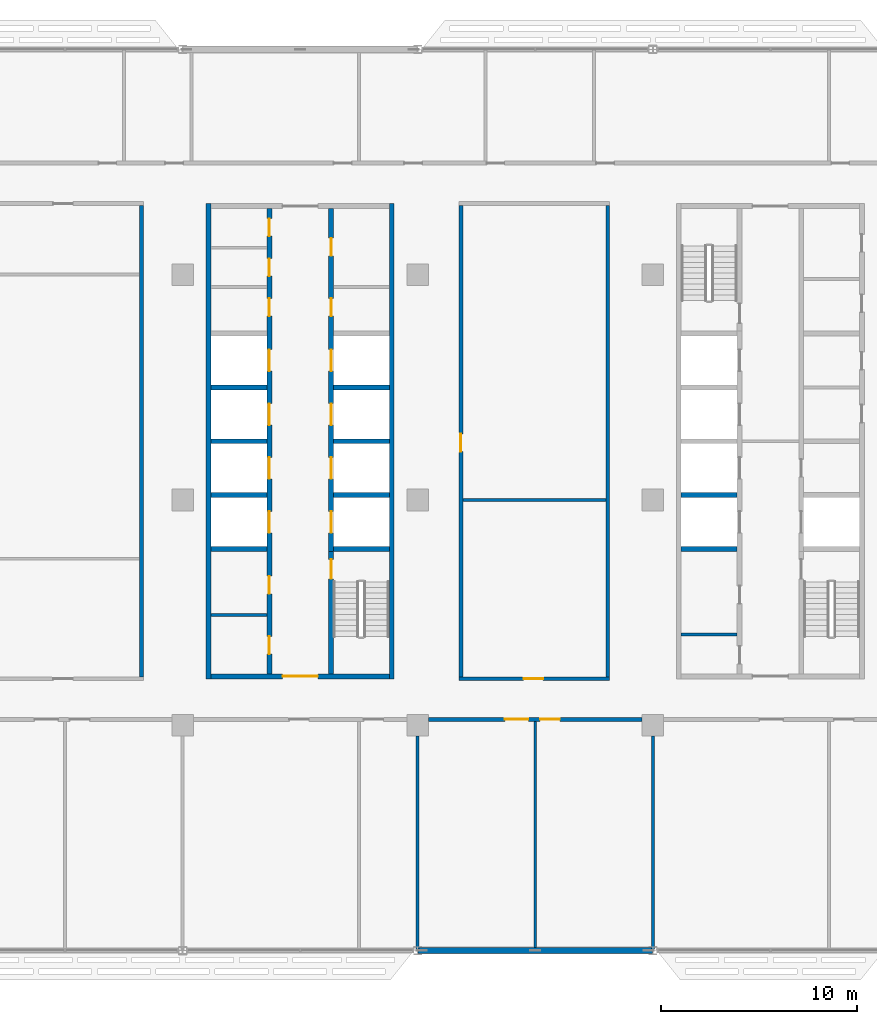
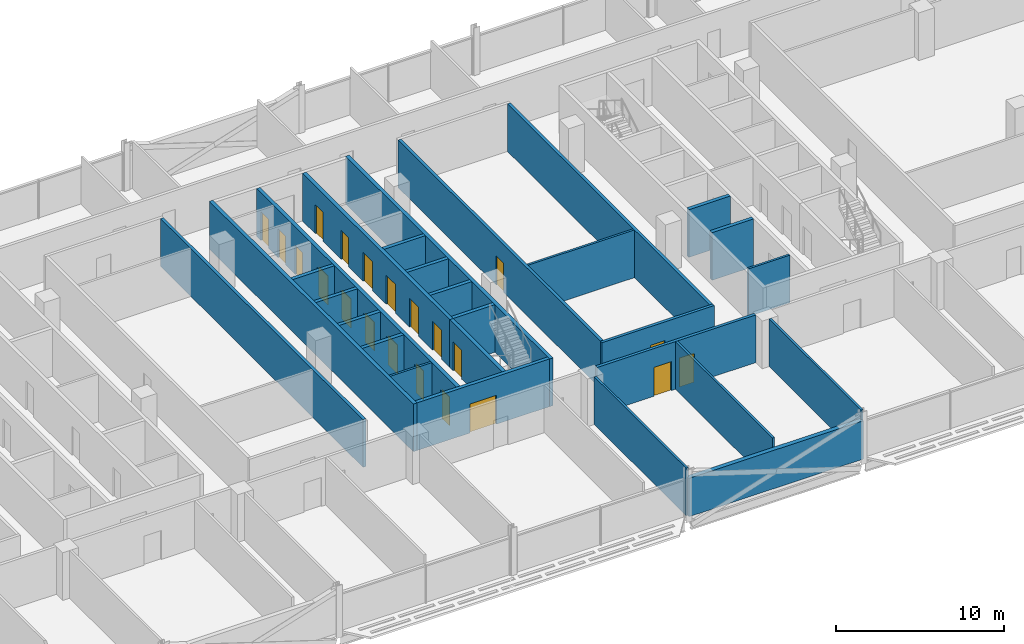
# One storey, part 14 of 30: 28 walls, 21 doors, 21 openings.
"""IFC4 building model written with IfcOpenShell, lengths in metres."""

from ifc_helpers import new_model, si_unit, direction, frame, frame_2d, origin, place, context, subcontext, project, spatial, rectangle, extrude, material, layer, layer_set, type_object, element, fill, save


model = new_model("IFC4")

# Units and contexts
model_context = context("Model", 3, precision=1e-05, world=origin(), true_north=direction((0.0, 1.0)))
body_context = subcontext(model_context, "Body", "Model", "MODEL_VIEW")
ifc_project = project(units=[si_unit("LENGTHUNIT", "METRE"), si_unit("AREAUNIT", "SQUARE_METRE"), si_unit("VOLUMEUNIT", "CUBIC_METRE"), si_unit("PLANEANGLEUNIT", "RADIAN"), si_unit("MASSUNIT", "GRAM", prefix="KILO")], contexts=[model_context])

# Site, building, storey
site_placement = place(None, origin())
site = spatial("IfcSite", under=ifc_project, at=site_placement, CompositionType="ELEMENT")
building_placement = place(site_placement, origin())
building = spatial("IfcBuilding", under=site, at=building_placement, Name="Mahtab Terrace Research Tower", CompositionType="ELEMENT")
storey_placement = place(building_placement, frame((0.0, 0.0, 205.300048828125)))
storey = spatial("IfcBuildingStorey", under=building, at=storey_placement, Name="L49", CompositionType="ELEMENT", Elevation=205.300048828125)

# Walls
ifc_material_1 = material(Name="Gypsum board partition")
ifc_layer_1 = layer(ifc_material_1, 0.14990234375)
ifc_layer_set_1 = layer_set([ifc_layer_1], Name="Core partition 150")
wall_type_1 = type_object("IfcWallType", Name="Core partition 150", PredefinedType="PARTITIONING", material=ifc_layer_set_1)
for number, where, z_axis, x_axis, name in (
    (1, (-4.550048828125, -5.875, 0.0), (0.0, 0.0, 1.0), (1.0, 0.0, 0.0), "Core wall B pWS-888"),
    (2, (19.449951171875, -6.875, 0.0), (0.0, 0.0, 1.0), (1.0, 0.0, 0.0), "Core wall C pWS-988"),
):
    element("IfcWall", number, at=place(storey_placement, frame(where, z_axis=z_axis, x_axis=x_axis)), inside=storey, type_object=wall_type_1, Name=name, PredefinedType="PARTITIONING", context=body_context, shape_type="SweptSolid", body=[
        extrude(rectangle(XDim=2.85009765625, YDim=0.14990234375, at=frame_2d((1.425048828125, 0.0))), origin(), (0.0, 0.0, 1.0), 3.4599609375),
    ])
ifc_material_2 = material(Name="Concrete C70/85", Category="concrete")
ifc_layer_2 = layer(ifc_material_2, 0.25)
ifc_layer_set_2 = layer_set([ifc_layer_2], Name="Core wall 250")
wall_type_2 = type_object("IfcWallType", Name="Core wall 250", PredefinedType="SOLIDWALL", material=ifc_layer_set_2)
for number, where, z_axis, x_axis, name in (
    (3, (-4.675048828125, 15.125, 0.0), (0.0, 0.0, 1.0), (0.0, -1.0, 0.0), "Core wall B outerW"),
    (4, (4.675048828125, -9.125, 0.0), (0.0, 0.0, 1.0), (0.0, 1.0, 0.0), "Core wall B outerE"),
):
    element("IfcWall", number, at=place(storey_placement, frame(where, z_axis=z_axis, x_axis=x_axis)), inside=storey, type_object=wall_type_2, Name=name, PredefinedType="SOLIDWALL", context=body_context, shape_type="SweptSolid", body=[
        extrude(rectangle(XDim=24.25, YDim=0.25, at=frame_2d((12.125, 0.0))), origin(), (0.0, 0.0, 1.0), 3.4599609375),
    ])

# Wall, opening, door
wall_1_placement = place(storey_placement, frame((4.550048828125, -9.0, 0.0), z_axis=(0.0, 0.0, 1.0), x_axis=(-1.0, 0.0, 0.0)))
wall_1 = element("IfcWall", 5, at=wall_1_placement, inside=storey, type_object=wall_type_2, Name="Core wall B endS", PredefinedType="SOLIDWALL", context=body_context, shape_type="SweptSolid", body=[
    extrude(rectangle(XDim=9.10009765625, YDim=0.25, at=frame_2d((4.550048828125, 0.0))), origin(), (0.0, 0.0, 1.0), 3.4599609375),
])
opening_1_placement = place(wall_1_placement, frame((3.64990234375, 0.0, 0.0)))
opening_1 = element("IfcOpeningElement", 6, at=opening_1_placement, cuts=wall_1, Name="Opening B-S1", PredefinedType="OPENING", context=body_context, shape_type="SweptSolid", body=[
    extrude(rectangle(XDim=1.800048828125, YDim=2.10009765625, at=frame_2d((0.89990234375, 1.050048828125))), frame((0.0, 0.135009765625, 0.0), z_axis=(0.0, -1.0, 0.0), x_axis=(1.0, 0.0, 0.0)), (0.0, 0.0, 1.0), 0.27001953125),
])
ifc_material_3 = material(Name="Steel fire door", Category="steel")
door_type_1 = type_object("IfcDoorType", Name="Lobby double door 1800x2100 1 HR", OperationType="DOUBLE_DOOR_SINGLE_SWING", PredefinedType="DOOR", material=ifc_material_3)
door_1_placement = place(opening_1_placement, origin())
door_1 = element("IfcDoor", 7, at=door_1_placement, inside=storey, type_object=door_type_1, Name="Core entrance door B S", OperationType="DOUBLE_DOOR_SINGLE_SWING", OverallHeight=2.10009765625, OverallWidth=1.800048828125, PredefinedType="DOOR", context=body_context, shape_type="SweptSolid", body=[
    extrude(rectangle(XDim=1.800048828125, YDim=2.10009765625, at=frame_2d((0.89990234375, 1.050048828125))), frame((0.0, 0.02490234375, 0.0), z_axis=(0.0, -1.0, 0.0), x_axis=(1.0, 0.0, 0.0)), (0.0, 0.0, 1.0), 0.050048828125),
])
fill(opening_1, door_1)

# Wall, openings, doors
wall_2_placement = place(storey_placement, frame((-1.574951171875, -8.875, 0.0), z_axis=(0.0, 0.0, 1.0), x_axis=(0.0, 1.0, 0.0)))
wall_2 = element("IfcWall", 8, at=wall_2_placement, inside=storey, type_object=wall_type_2, Name="Core wall B innerWSLN", PredefinedType="SOLIDWALL", context=body_context, shape_type="SweptSolid", body=[
    extrude(rectangle(XDim=23.75, YDim=0.25, at=frame_2d((11.875, 0.0))), origin(), (0.0, 0.0, 1.0), 3.4599609375),
])
opening_2_placement = place(wall_2_placement, frame((7.199951171875, 0.0, 0.0)))
opening_2 = element("IfcOpeningElement", 9, at=opening_2_placement, cuts=wall_2, Name="Opening LD09-L49", PredefinedType="OPENING", context=body_context, shape_type="SweptSolid", body=[
    extrude(rectangle(XDim=1.10009765625, YDim=2.10009765625, at=frame_2d((0.550048828125, 1.050048828125))), frame((0.0, 0.135009765625, 0.0), z_axis=(0.0, -1.0, 0.0), x_axis=(1.0, 0.0, 0.0)), (0.0, 0.0, 1.0), 0.27001953125),
])
opening_3_placement = place(wall_2_placement, frame((9.949951171875, 0.0, 0.0)))
opening_3 = element("IfcOpeningElement", 10, at=opening_3_placement, cuts=wall_2, Name="Opening LD10-L49", PredefinedType="OPENING", context=body_context, shape_type="SweptSolid", body=[
    extrude(rectangle(XDim=1.10009765625, YDim=2.10009765625, at=frame_2d((0.550048828125, 1.050048828125))), frame((0.0, 0.135009765625, 0.0), z_axis=(0.0, -1.0, 0.0), x_axis=(1.0, 0.0, 0.0)), (0.0, 0.0, 1.0), 0.27001953125),
])
opening_4_placement = place(wall_2_placement, frame((12.699951171875, 0.0, 0.0)))
opening_4 = element("IfcOpeningElement", 11, at=opening_4_placement, cuts=wall_2, Name="Opening LD11-L49", PredefinedType="OPENING", context=body_context, shape_type="SweptSolid", body=[
    extrude(rectangle(XDim=1.10009765625, YDim=2.10009765625, at=frame_2d((0.550048828125, 1.050048828125))), frame((0.0, 0.135009765625, 0.0), z_axis=(0.0, -1.0, 0.0), x_axis=(1.0, 0.0, 0.0)), (0.0, 0.0, 1.0), 0.27001953125),
])
opening_5_placement = place(wall_2_placement, frame((15.449951171875, 0.0, 0.0)))
opening_5 = element("IfcOpeningElement", 12, at=opening_5_placement, cuts=wall_2, Name="Opening LD12-L49", PredefinedType="OPENING", context=body_context, shape_type="SweptSolid", body=[
    extrude(rectangle(XDim=1.10009765625, YDim=2.10009765625, at=frame_2d((0.550048828125, 1.050048828125))), frame((0.0, 0.135009765625, 0.0), z_axis=(0.0, -1.0, 0.0), x_axis=(1.0, 0.0, 0.0)), (0.0, 0.0, 1.0), 0.27001953125),
])
opening_6_placement = place(wall_2_placement, frame((1.012451171875, 0.0, 0.0)))
opening_6 = element("IfcOpeningElement", 13, at=opening_6_placement, cuts=wall_2, Name="Opening B-R1", PredefinedType="OPENING", context=body_context, shape_type="SweptSolid", body=[
    extrude(rectangle(XDim=0.89990234375, YDim=2.10009765625, at=frame_2d((0.449951171875, 1.050048828125))), frame((0.0, 0.135009765625, 0.0), z_axis=(0.0, -1.0, 0.0), x_axis=(1.0, 0.0, 0.0)), (0.0, 0.0, 1.0), 0.27001953125),
])
opening_7_placement = place(wall_2_placement, frame((4.08740234375, 0.0, 0.0)))
opening_7 = element("IfcOpeningElement", 14, at=opening_7_placement, cuts=wall_2, Name="Opening B-R2", PredefinedType="OPENING", context=body_context, shape_type="SweptSolid", body=[
    extrude(rectangle(XDim=0.89990234375, YDim=2.10009765625, at=frame_2d((0.449951171875, 1.050048828125))), frame((0.0, 0.135009765625, 0.0), z_axis=(0.0, -1.0, 0.0), x_axis=(1.0, 0.0, 0.0)), (0.0, 0.0, 1.0), 0.27001953125),
])
opening_8_placement = place(wall_2_placement, frame((18.262451171875, 0.0, 0.0)))
opening_8 = element("IfcOpeningElement", 15, at=opening_8_placement, cuts=wall_2, Name="Opening B-R3", PredefinedType="OPENING", context=body_context, shape_type="SweptSolid", body=[
    extrude(rectangle(XDim=0.89990234375, YDim=2.10009765625, at=frame_2d((0.449951171875, 1.050048828125))), frame((0.0, 0.135009765625, 0.0), z_axis=(0.0, -1.0, 0.0), x_axis=(1.0, 0.0, 0.0)), (0.0, 0.0, 1.0), 0.27001953125),
])
opening_9_placement = place(wall_2_placement, frame((20.300048828125, 0.0, 0.0)))
opening_9 = element("IfcOpeningElement", 16, at=opening_9_placement, cuts=wall_2, Name="Opening B-R4", PredefinedType="OPENING", context=body_context, shape_type="SweptSolid", body=[
    extrude(rectangle(XDim=0.89990234375, YDim=2.10009765625, at=frame_2d((0.449951171875, 1.050048828125))), frame((0.0, 0.135009765625, 0.0), z_axis=(0.0, -1.0, 0.0), x_axis=(1.0, 0.0, 0.0)), (0.0, 0.0, 1.0), 0.27001953125),
])
opening_10_placement = place(wall_2_placement, frame((22.33740234375, 0.0, 0.0)))
opening_10 = element("IfcOpeningElement", 17, at=opening_10_placement, cuts=wall_2, Name="Opening B-R5", PredefinedType="OPENING", context=body_context, shape_type="SweptSolid", body=[
    extrude(rectangle(XDim=0.89990234375, YDim=2.10009765625, at=frame_2d((0.449951171875, 1.050048828125))), frame((0.0, 0.135009765625, 0.0), z_axis=(0.0, -1.0, 0.0), x_axis=(1.0, 0.0, 0.0)), (0.0, 0.0, 1.0), 0.27001953125),
])
ifc_material_4 = material(Name="Stainless steel AISI 304", Category="steel")
door_type_2 = type_object("IfcDoorType", Name="Landing door 1100x2100", OperationType="DOUBLE_DOOR_SLIDING", PredefinedType="DOOR", material=ifc_material_4)
door_2_placement = place(opening_2_placement, origin())
door_2 = element("IfcDoor", 18, at=door_2_placement, inside=storey, type_object=door_type_2, Name="Landing door HR1 L49", OperationType="DOUBLE_DOOR_SLIDING", OverallHeight=2.10009765625, OverallWidth=1.10009765625, PredefinedType="DOOR", context=body_context, shape_type="SweptSolid", body=[
    extrude(rectangle(XDim=1.10009765625, YDim=2.10009765625, at=frame_2d((0.550048828125, 1.050048828125))), frame((0.0, 0.02490234375, 0.0), z_axis=(0.0, -1.0, 0.0), x_axis=(1.0, 0.0, 0.0)), (0.0, 0.0, 1.0), 0.050048828125),
])
fill(opening_2, door_2)
door_3_placement = place(opening_3_placement, origin())
door_3 = element("IfcDoor", 19, at=door_3_placement, inside=storey, type_object=door_type_2, Name="Landing door HR2 L49", OperationType="DOUBLE_DOOR_SLIDING", OverallHeight=2.10009765625, OverallWidth=1.10009765625, PredefinedType="DOOR", context=body_context, shape_type="SweptSolid", body=[
    extrude(rectangle(XDim=1.10009765625, YDim=2.10009765625, at=frame_2d((0.550048828125, 1.050048828125))), frame((0.0, 0.02490234375, 0.0), z_axis=(0.0, -1.0, 0.0), x_axis=(1.0, 0.0, 0.0)), (0.0, 0.0, 1.0), 0.050048828125),
])
fill(opening_3, door_3)
door_4_placement = place(opening_4_placement, origin())
door_4 = element("IfcDoor", 20, at=door_4_placement, inside=storey, type_object=door_type_2, Name="Landing door HR3 L49", OperationType="DOUBLE_DOOR_SLIDING", OverallHeight=2.10009765625, OverallWidth=1.10009765625, PredefinedType="DOOR", context=body_context, shape_type="SweptSolid", body=[
    extrude(rectangle(XDim=1.10009765625, YDim=2.10009765625, at=frame_2d((0.550048828125, 1.050048828125))), frame((0.0, 0.02490234375, 0.0), z_axis=(0.0, -1.0, 0.0), x_axis=(1.0, 0.0, 0.0)), (0.0, 0.0, 1.0), 0.050048828125),
])
fill(opening_4, door_4)
door_5_placement = place(opening_5_placement, origin())
door_5 = element("IfcDoor", 21, at=door_5_placement, inside=storey, type_object=door_type_2, Name="Landing door HR4 L49", OperationType="DOUBLE_DOOR_SLIDING", OverallHeight=2.10009765625, OverallWidth=1.10009765625, PredefinedType="DOOR", context=body_context, shape_type="SweptSolid", body=[
    extrude(rectangle(XDim=1.10009765625, YDim=2.10009765625, at=frame_2d((0.550048828125, 1.050048828125))), frame((0.0, 0.02490234375, 0.0), z_axis=(0.0, -1.0, 0.0), x_axis=(1.0, 0.0, 0.0)), (0.0, 0.0, 1.0), 0.050048828125),
])
fill(opening_5, door_5)
door_type_3 = type_object("IfcDoorType", Name="Room door 900x2100 1 HR", OperationType="NOTDEFINED", PredefinedType="DOOR", material=ifc_material_3)
door_6_placement = place(opening_6_placement, origin())
door_6 = element("IfcDoor", 22, at=door_6_placement, inside=storey, type_object=door_type_3, Name="Housekeeping store door", OperationType="SINGLE_SWING_LEFT", OverallHeight=2.10009765625, OverallWidth=0.89990234375, PredefinedType="DOOR", context=body_context, shape_type="SweptSolid", body=[
    extrude(rectangle(XDim=0.89990234375, YDim=2.10009765625, at=frame_2d((0.449951171875, 1.050048828125))), frame((0.0, 0.02490234375, 0.0), z_axis=(0.0, -1.0, 0.0), x_axis=(1.0, 0.0, 0.0)), (0.0, 0.0, 1.0), 0.050048828125),
])
fill(opening_6, door_6)
door_7_placement = place(opening_7_placement, origin())
door_7 = element("IfcDoor", 23, at=door_7_placement, inside=storey, type_object=door_type_3, Name="Electrical riser room door", OperationType="SINGLE_SWING_RIGHT", OverallHeight=2.10009765625, OverallWidth=0.89990234375, PredefinedType="DOOR", context=body_context, shape_type="SweptSolid", body=[
    extrude(rectangle(XDim=0.89990234375, YDim=2.10009765625, at=frame_2d((0.449951171875, 1.050048828125))), frame((0.0, 0.02490234375, 0.0), z_axis=(0.0, -1.0, 0.0), x_axis=(1.0, 0.0, 0.0)), (0.0, 0.0, 1.0), 0.050048828125),
])
fill(opening_7, door_7)
door_8_placement = place(opening_8_placement, origin())
door_8 = element("IfcDoor", 24, at=door_8_placement, inside=storey, type_object=door_type_3, Name="Comms riser room door", OperationType="SINGLE_SWING_LEFT", OverallHeight=2.10009765625, OverallWidth=0.89990234375, PredefinedType="DOOR", context=body_context, shape_type="SweptSolid", body=[
    extrude(rectangle(XDim=0.89990234375, YDim=2.10009765625, at=frame_2d((0.449951171875, 1.050048828125))), frame((0.0, 0.02490234375, 0.0), z_axis=(0.0, -1.0, 0.0), x_axis=(1.0, 0.0, 0.0)), (0.0, 0.0, 1.0), 0.050048828125),
])
fill(opening_8, door_8)
door_9_placement = place(opening_9_placement, origin())
door_9 = element("IfcDoor", 25, at=door_9_placement, inside=storey, type_object=door_type_3, Name="Pantry door", OperationType="SINGLE_SWING_RIGHT", OverallHeight=2.10009765625, OverallWidth=0.89990234375, PredefinedType="DOOR", context=body_context, shape_type="SweptSolid", body=[
    extrude(rectangle(XDim=0.89990234375, YDim=2.10009765625, at=frame_2d((0.449951171875, 1.050048828125))), frame((0.0, 0.02490234375, 0.0), z_axis=(0.0, -1.0, 0.0), x_axis=(1.0, 0.0, 0.0)), (0.0, 0.0, 1.0), 0.050048828125),
])
fill(opening_9, door_9)
door_10_placement = place(opening_10_placement, origin())
door_10 = element("IfcDoor", 26, at=door_10_placement, inside=storey, type_object=door_type_3, Name="Cleaners store door", OperationType="SINGLE_SWING_LEFT", OverallHeight=2.10009765625, OverallWidth=0.89990234375, PredefinedType="DOOR", context=body_context, shape_type="SweptSolid", body=[
    extrude(rectangle(XDim=0.89990234375, YDim=2.10009765625, at=frame_2d((0.449951171875, 1.050048828125))), frame((0.0, 0.02490234375, 0.0), z_axis=(0.0, -1.0, 0.0), x_axis=(1.0, 0.0, 0.0)), (0.0, 0.0, 1.0), 0.050048828125),
])
fill(opening_10, door_10)

# Wall, opening, door
wall_3_placement = place(storey_placement, frame((1.574951171875, -8.875, 0.0), z_axis=(0.0, 0.0, 1.0), x_axis=(0.0, 1.0, 0.0)))
wall_3 = element("IfcWall", 27, at=wall_3_placement, inside=storey, type_object=wall_type_2, Name="Core wall B innerES", PredefinedType="SOLIDWALL", context=body_context, shape_type="SweptSolid", body=[
    extrude(rectangle(XDim=6.25, YDim=0.25, at=frame_2d((3.125, 0.0))), origin(), (0.0, 0.0, 1.0), 3.4599609375),
])
opening_11_placement = place(wall_3_placement, frame((4.85009765625, 0.0, 0.0)))
opening_11 = element("IfcOpeningElement", 28, at=opening_11_placement, cuts=wall_3, Name="Opening B-ST2", PredefinedType="OPENING", context=body_context, shape_type="SweptSolid", body=[
    extrude(rectangle(XDim=1.0, YDim=2.10009765625, at=frame_2d((0.5, 1.050048828125))), frame((0.0, 0.135009765625, 0.0), z_axis=(0.0, -1.0, 0.0), x_axis=(1.0, 0.0, 0.0)), (0.0, 0.0, 1.0), 0.27001953125),
])
door_type_4 = type_object("IfcDoorType", Name="Stair door 1000x2100 1.5 HR", OperationType="NOTDEFINED", PredefinedType="DOOR", material=ifc_material_3)
door_11_placement = place(opening_11_placement, origin())
door_11 = element("IfcDoor", 29, at=door_11_placement, inside=storey, type_object=door_type_4, Name="Stair door ST2 L49", OperationType="SINGLE_SWING_RIGHT", OverallHeight=2.10009765625, OverallWidth=1.0, PredefinedType="DOOR", context=body_context, shape_type="SweptSolid", body=[
    extrude(rectangle(XDim=1.0, YDim=2.10009765625, at=frame_2d((0.5, 1.050048828125))), frame((0.0, 0.02490234375, 0.0), z_axis=(0.0, -1.0, 0.0), x_axis=(1.0, 0.0, 0.0)), (0.0, 0.0, 1.0), 0.050048828125),
])
fill(opening_11, door_11)

# Wall, openings, doors
wall_4_placement = place(storey_placement, frame((1.574951171875, 14.875, 0.0), z_axis=(0.0, 0.0, 1.0), x_axis=(0.0, -1.0, 0.0)))
wall_4 = element("IfcWall", 30, at=wall_4_placement, inside=storey, type_object=wall_type_2, Name="Core wall B innerELN", PredefinedType="SOLIDWALL", context=body_context, shape_type="SweptSolid", body=[
    extrude(rectangle(XDim=17.5, YDim=0.25, at=frame_2d((8.75, 0.0))), origin(), (0.0, 0.0, 1.0), 3.4599609375),
])
opening_12_placement = place(wall_4_placement, frame((15.449951171875, 0.0, 0.0)))
opening_12 = element("IfcOpeningElement", 31, at=opening_12_placement, cuts=wall_4, Name="Opening LD13-L49", PredefinedType="OPENING", context=body_context, shape_type="SweptSolid", body=[
    extrude(rectangle(XDim=1.10009765625, YDim=2.10009765625, at=frame_2d((0.550048828125, 1.050048828125))), frame((0.0, 0.135009765625, 0.0), z_axis=(0.0, -1.0, 0.0), x_axis=(1.0, 0.0, 0.0)), (0.0, 0.0, 1.0), 0.27001953125),
])
opening_13_placement = place(wall_4_placement, frame((12.699951171875, 0.0, 0.0)))
opening_13 = element("IfcOpeningElement", 32, at=opening_13_placement, cuts=wall_4, Name="Opening LD14-L49", PredefinedType="OPENING", context=body_context, shape_type="SweptSolid", body=[
    extrude(rectangle(XDim=1.10009765625, YDim=2.10009765625, at=frame_2d((0.550048828125, 1.050048828125))), frame((0.0, 0.135009765625, 0.0), z_axis=(0.0, -1.0, 0.0), x_axis=(1.0, 0.0, 0.0)), (0.0, 0.0, 1.0), 0.27001953125),
])
opening_14_placement = place(wall_4_placement, frame((9.949951171875, 0.0, 0.0)))
opening_14 = element("IfcOpeningElement", 33, at=opening_14_placement, cuts=wall_4, Name="Opening LD15-L49", PredefinedType="OPENING", context=body_context, shape_type="SweptSolid", body=[
    extrude(rectangle(XDim=1.10009765625, YDim=2.10009765625, at=frame_2d((0.550048828125, 1.050048828125))), frame((0.0, 0.135009765625, 0.0), z_axis=(0.0, -1.0, 0.0), x_axis=(1.0, 0.0, 0.0)), (0.0, 0.0, 1.0), 0.27001953125),
])
opening_15_placement = place(wall_4_placement, frame((7.199951171875, 0.0, 0.0)))
opening_15 = element("IfcOpeningElement", 34, at=opening_15_placement, cuts=wall_4, Name="Opening LD16-L49", PredefinedType="OPENING", context=body_context, shape_type="SweptSolid", body=[
    extrude(rectangle(XDim=1.10009765625, YDim=2.10009765625, at=frame_2d((0.550048828125, 1.050048828125))), frame((0.0, 0.135009765625, 0.0), z_axis=(0.0, -1.0, 0.0), x_axis=(1.0, 0.0, 0.0)), (0.0, 0.0, 1.0), 0.27001953125),
])
opening_16_placement = place(wall_4_placement, frame((4.58740234375, 0.0, 0.0)))
opening_16 = element("IfcOpeningElement", 35, at=opening_16_placement, cuts=wall_4, Name="Opening B-R6", PredefinedType="OPENING", context=body_context, shape_type="SweptSolid", body=[
    extrude(rectangle(XDim=0.89990234375, YDim=2.10009765625, at=frame_2d((0.449951171875, 1.050048828125))), frame((0.0, 0.135009765625, 0.0), z_axis=(0.0, -1.0, 0.0), x_axis=(1.0, 0.0, 0.0)), (0.0, 0.0, 1.0), 0.27001953125),
])
opening_17_placement = place(wall_4_placement, frame((1.512451171875, 0.0, 0.0)))
opening_17 = element("IfcOpeningElement", 36, at=opening_17_placement, cuts=wall_4, Name="Opening B-R7", PredefinedType="OPENING", context=body_context, shape_type="SweptSolid", body=[
    extrude(rectangle(XDim=0.89990234375, YDim=2.10009765625, at=frame_2d((0.449951171875, 1.050048828125))), frame((0.0, 0.135009765625, 0.0), z_axis=(0.0, -1.0, 0.0), x_axis=(1.0, 0.0, 0.0)), (0.0, 0.0, 1.0), 0.27001953125),
])
door_12_placement = place(opening_12_placement, origin())
door_12 = element("IfcDoor", 37, at=door_12_placement, inside=storey, type_object=door_type_2, Name="Landing door HR5 L49", OperationType="DOUBLE_DOOR_SLIDING", OverallHeight=2.10009765625, OverallWidth=1.10009765625, PredefinedType="DOOR", context=body_context, shape_type="SweptSolid", body=[
    extrude(rectangle(XDim=1.10009765625, YDim=2.10009765625, at=frame_2d((0.550048828125, 1.050048828125))), frame((0.0, 0.02490234375, 0.0), z_axis=(0.0, -1.0, 0.0), x_axis=(1.0, 0.0, 0.0)), (0.0, 0.0, 1.0), 0.050048828125),
])
fill(opening_12, door_12)
door_13_placement = place(opening_13_placement, origin())
door_13 = element("IfcDoor", 38, at=door_13_placement, inside=storey, type_object=door_type_2, Name="Landing door HR6 L49", OperationType="DOUBLE_DOOR_SLIDING", OverallHeight=2.10009765625, OverallWidth=1.10009765625, PredefinedType="DOOR", context=body_context, shape_type="SweptSolid", body=[
    extrude(rectangle(XDim=1.10009765625, YDim=2.10009765625, at=frame_2d((0.550048828125, 1.050048828125))), frame((0.0, 0.02490234375, 0.0), z_axis=(0.0, -1.0, 0.0), x_axis=(1.0, 0.0, 0.0)), (0.0, 0.0, 1.0), 0.050048828125),
])
fill(opening_13, door_13)
door_14_placement = place(opening_14_placement, origin())
door_14 = element("IfcDoor", 39, at=door_14_placement, inside=storey, type_object=door_type_2, Name="Landing door HR7 L49", OperationType="DOUBLE_DOOR_SLIDING", OverallHeight=2.10009765625, OverallWidth=1.10009765625, PredefinedType="DOOR", context=body_context, shape_type="SweptSolid", body=[
    extrude(rectangle(XDim=1.10009765625, YDim=2.10009765625, at=frame_2d((0.550048828125, 1.050048828125))), frame((0.0, 0.02490234375, 0.0), z_axis=(0.0, -1.0, 0.0), x_axis=(1.0, 0.0, 0.0)), (0.0, 0.0, 1.0), 0.050048828125),
])
fill(opening_14, door_14)
door_15_placement = place(opening_15_placement, origin())
door_15 = element("IfcDoor", 40, at=door_15_placement, inside=storey, type_object=door_type_2, Name="Landing door HR8 L49", OperationType="DOUBLE_DOOR_SLIDING", OverallHeight=2.10009765625, OverallWidth=1.10009765625, PredefinedType="DOOR", context=body_context, shape_type="SweptSolid", body=[
    extrude(rectangle(XDim=1.10009765625, YDim=2.10009765625, at=frame_2d((0.550048828125, 1.050048828125))), frame((0.0, 0.02490234375, 0.0), z_axis=(0.0, -1.0, 0.0), x_axis=(1.0, 0.0, 0.0)), (0.0, 0.0, 1.0), 0.050048828125),
])
fill(opening_15, door_15)
door_16_placement = place(opening_16_placement, origin())
door_16 = element("IfcDoor", 41, at=door_16_placement, inside=storey, type_object=door_type_3, Name="Accessible WC door", OperationType="SINGLE_SWING_RIGHT", OverallHeight=2.10009765625, OverallWidth=0.89990234375, PredefinedType="DOOR", context=body_context, shape_type="SweptSolid", body=[
    extrude(rectangle(XDim=0.89990234375, YDim=2.10009765625, at=frame_2d((0.449951171875, 1.050048828125))), frame((0.0, 0.02490234375, 0.0), z_axis=(0.0, -1.0, 0.0), x_axis=(1.0, 0.0, 0.0)), (0.0, 0.0, 1.0), 0.050048828125),
])
fill(opening_16, door_16)
door_17_placement = place(opening_17_placement, origin())
door_17 = element("IfcDoor", 42, at=door_17_placement, inside=storey, type_object=door_type_3, Name="WC block door", OperationType="SINGLE_SWING_LEFT", OverallHeight=2.10009765625, OverallWidth=0.89990234375, PredefinedType="DOOR", context=body_context, shape_type="SweptSolid", body=[
    extrude(rectangle(XDim=0.89990234375, YDim=2.10009765625, at=frame_2d((0.449951171875, 1.050048828125))), frame((0.0, 0.02490234375, 0.0), z_axis=(0.0, -1.0, 0.0), x_axis=(1.0, 0.0, 0.0)), (0.0, 0.0, 1.0), 0.050048828125),
])
fill(opening_17, door_17)

# Walls
for number, where, z_axis, x_axis, name in (
    (43, (-4.550048828125, -2.5, 0.0), (0.0, 0.0, 1.0), (1.0, 0.0, 0.0), "Core wall B divW0"),
    (44, (-4.550048828125, 0.25, 0.0), (0.0, 0.0, 1.0), (1.0, 0.0, 0.0), "Core wall B divW1"),
    (45, (-4.550048828125, 3.0, 0.0), (0.0, 0.0, 1.0), (1.0, 0.0, 0.0), "Core wall B divW2"),
    (46, (-4.550048828125, 5.75, 0.0), (0.0, 0.0, 1.0), (1.0, 0.0, 0.0), "Core wall B divW3"),
    (47, (1.699951171875, -2.5, 0.0), (0.0, 0.0, 1.0), (1.0, 0.0, 0.0), "Core wall B divE0"),
    (48, (1.699951171875, 0.25, 0.0), (0.0, 0.0, 1.0), (1.0, 0.0, 0.0), "Core wall B divE1"),
    (49, (1.699951171875, 3.0, 0.0), (0.0, 0.0, 1.0), (1.0, 0.0, 0.0), "Core wall B divE2"),
    (50, (1.699951171875, 5.75, 0.0), (0.0, 0.0, 1.0), (1.0, 0.0, 0.0), "Core wall B divE3"),
    (51, (19.449951171875, -2.5, 0.0), (0.0, 0.0, 1.0), (1.0, 0.0, 0.0), "Core wall C divW0"),
    (52, (19.449951171875, 0.25, 0.0), (0.0, 0.0, 1.0), (1.0, 0.0, 0.0), "Core wall C divW1"),
):
    element("IfcWall", number, at=place(storey_placement, frame(where, z_axis=z_axis, x_axis=x_axis)), inside=storey, type_object=wall_type_2, Name=name, PredefinedType="SOLIDWALL", context=body_context, shape_type="SweptSolid", body=[
        extrude(rectangle(XDim=2.85009765625, YDim=0.25, at=frame_2d((1.425048828125, 0.0))), origin(), (0.0, 0.0, 1.0), 3.4599609375),
    ])
ifc_material_5 = material(Name="Black aluminium cladding panel", Category="aluminium")
ifc_layer_3 = layer(ifc_material_5, 0.300048828125)
ifc_layer_set_3 = layer_set([ifc_layer_3], Name="Opaque facade wall 300")
wall_type_3 = type_object("IfcWallType", Name="Opaque facade wall 300", PredefinedType="NOTDEFINED", material=ifc_layer_set_3)
wall_5_placement = place(storey_placement, frame((6.012451171875, -23.0, 0.0), z_axis=(0.0, 0.0, 1.0), x_axis=(1.0, 0.0, 0.0)))
element("IfcWall", 53, at=wall_5_placement, inside=storey, type_object=wall_type_3, Name="Opaque facade wall L49 S27", PredefinedType="NOTDEFINED", context=body_context, shape_type="SweptSolid", body=[
    extrude(rectangle(XDim=11.97509765625, YDim=0.300048828125, at=frame_2d((5.987548828125, 0.0))), origin(), (0.0, 0.0, 1.0), 2.78173828125),
])

# Wall, openings, doors
ifc_material_6 = material(Name="Gypsum board corridor wall on steel studs", Category="steel")
ifc_layer_4 = layer(ifc_material_6, 0.199951171875)
ifc_layer_set_4 = layer_set([ifc_layer_4], Name="WALL CORRIDOR 200")
wall_type_4 = type_object("IfcWallType", Name="WALL CORRIDOR 200", PredefinedType="PARTITIONING", material=ifc_layer_set_4)
wall_6_placement = place(storey_placement, frame((6.550048828125, -11.199951171875, 0.0), z_axis=(0.0, 0.0, 1.0), x_axis=(1.0, 0.0, 0.0)))
wall_6 = element("IfcWall", 54, at=wall_6_placement, inside=storey, type_object=wall_type_4, Name="L49-W005", PredefinedType="PARTITIONING", context=body_context, shape_type="SweptSolid", body=[
    extrude(rectangle(XDim=10.89990234375, YDim=0.199951171875, at=frame_2d((5.449951171875, 0.0))), origin(), (0.0, 0.0, 1.0), 3.4599609375),
])
opening_18_placement = place(wall_6_placement, frame((3.89990234375, 0.0, 0.0)))
opening_18 = element("IfcOpeningElement", 55, at=opening_18_placement, cuts=wall_6, Name="Opening L49-109", PredefinedType="OPENING", context=body_context, shape_type="SweptSolid", body=[
    extrude(rectangle(XDim=1.199951171875, YDim=2.10009765625, at=frame_2d((0.60009765625, 1.050048828125))), frame((0.0, 0.10986328125, 0.0), z_axis=(0.0, -1.0, 0.0), x_axis=(1.0, 0.0, 0.0)), (0.0, 0.0, 1.0), 0.219970703125),
])
opening_19_placement = place(wall_6_placement, frame((5.699951171875, 0.0, 0.0)))
opening_19 = element("IfcOpeningElement", 56, at=opening_19_placement, cuts=wall_6, Name="Opening L49-110", PredefinedType="OPENING", context=body_context, shape_type="SweptSolid", body=[
    extrude(rectangle(XDim=1.0, YDim=2.10009765625, at=frame_2d((0.5, 1.050048828125))), frame((0.0, 0.10986328125, 0.0), z_axis=(0.0, -1.0, 0.0), x_axis=(1.0, 0.0, 0.0)), (0.0, 0.0, 1.0), 0.219970703125),
])
ifc_material_7 = material(Name="Timber door leaf in steel frame", Category="steel")
door_type_5 = type_object("IfcDoorType", Name="DOOR 1000X2100 FD30S", OperationType="SINGLE_SWING_LEFT", PredefinedType="DOOR", material=ifc_material_7)
door_18_placement = place(opening_19_placement, origin())
door_18 = element("IfcDoor", 57, at=door_18_placement, inside=storey, type_object=door_type_5, Name="Door L49-110", OperationType="SINGLE_SWING_LEFT", OverallHeight=2.10009765625, OverallWidth=1.0, PredefinedType="DOOR", context=body_context, shape_type="SweptSolid", body=[
    extrude(rectangle(XDim=1.0, YDim=2.10009765625, at=frame_2d((0.5, 1.050048828125))), frame((0.0, 0.02490234375, 0.0), z_axis=(0.0, -1.0, 0.0), x_axis=(1.0, 0.0, 0.0)), (0.0, 0.0, 1.0), 0.050048828125),
])
fill(opening_19, door_18)
door_type_6 = type_object("IfcDoorType", Name="DOOR 1200X2100 FD30S", OperationType="SINGLE_SWING_LEFT", PredefinedType="DOOR", material=ifc_material_7)
door_19_placement = place(opening_18_placement, origin())
door_19 = element("IfcDoor", 58, at=door_19_placement, inside=storey, type_object=door_type_6, Name="Door L49-109", OperationType="SINGLE_SWING_RIGHT", OverallHeight=2.10009765625, OverallWidth=1.199951171875, PredefinedType="DOOR", context=body_context, shape_type="SweptSolid", body=[
    extrude(rectangle(XDim=1.199951171875, YDim=2.10009765625, at=frame_2d((0.60009765625, 1.050048828125))), frame((0.0, 0.02490234375, 0.0), z_axis=(0.0, -1.0, 0.0), x_axis=(1.0, 0.0, 0.0)), (0.0, 0.0, 1.0), 0.050048828125),
])
fill(opening_18, door_19)

# Wall, opening, door
wall_7_placement = place(storey_placement, frame((8.10009765625, -9.125, 0.0), z_axis=(0.0, 0.0, 1.0), x_axis=(1.0, 0.0, 0.0)))
wall_7 = element("IfcWall", 59, at=wall_7_placement, inside=storey, type_object=wall_type_4, Name="L49-W011", PredefinedType="PARTITIONING", context=body_context, shape_type="SweptSolid", body=[
    extrude(rectangle(XDim=7.699951171875, YDim=0.199951171875, at=frame_2d((3.85009765625, 0.0))), origin(), (0.0, 0.0, 1.0), 3.4599609375),
])
opening_20_placement = place(wall_7_placement, frame((3.300048828125, 0.0, 0.0)))
opening_20 = element("IfcOpeningElement", 60, at=opening_20_placement, cuts=wall_7, Name="Opening L49-119", PredefinedType="OPENING", context=body_context, shape_type="SweptSolid", body=[
    extrude(rectangle(XDim=1.0, YDim=2.10009765625, at=frame_2d((0.5, 1.050048828125))), frame((0.0, 0.10986328125, 0.0), z_axis=(0.0, -1.0, 0.0), x_axis=(1.0, 0.0, 0.0)), (0.0, 0.0, 1.0), 0.219970703125),
])
door_20_placement = place(opening_20_placement, origin())
door_20 = element("IfcDoor", 61, at=door_20_placement, inside=storey, type_object=door_type_5, Name="Door L49-119", OperationType="SINGLE_SWING_LEFT", OverallHeight=2.10009765625, OverallWidth=1.0, PredefinedType="DOOR", context=body_context, shape_type="SweptSolid", body=[
    extrude(rectangle(XDim=1.0, YDim=2.10009765625, at=frame_2d((0.5, 1.050048828125))), frame((0.0, 0.02490234375, 0.0), z_axis=(0.0, -1.0, 0.0), x_axis=(1.0, 0.0, 0.0)), (0.0, 0.0, 1.0), 0.050048828125),
])
fill(opening_20, door_20)

# Wall
wall_8_placement = place(storey_placement, frame((-8.10009765625, -9.02490234375, 0.0), z_axis=(0.0, 0.0, 1.0), x_axis=(0.0, 1.0, 0.0)))
element("IfcWall", 62, at=wall_8_placement, inside=storey, type_object=wall_type_4, Name="L49-W036", PredefinedType="PARTITIONING", context=body_context, shape_type="SweptSolid", body=[
    extrude(rectangle(XDim=24.0498046875, YDim=0.199951171875, at=frame_2d((12.02490234375, 0.0))), origin(), (0.0, 0.0, 1.0), 3.4599609375),
])

# Wall, opening, door
wall_9_placement = place(storey_placement, frame((8.199951171875, -9.02490234375, 0.0), z_axis=(0.0, 0.0, 1.0), x_axis=(0.0, 1.0, 0.0)))
wall_9 = element("IfcWall", 63, at=wall_9_placement, inside=storey, type_object=wall_type_4, Name="L49-W042", PredefinedType="PARTITIONING", context=body_context, shape_type="SweptSolid", body=[
    extrude(rectangle(XDim=24.0498046875, YDim=0.199951171875, at=frame_2d((12.02490234375, 0.0))), origin(), (0.0, 0.0, 1.0), 3.4599609375),
])
opening_21_placement = place(wall_9_placement, frame((11.5, 0.0, 0.0)))
opening_21 = element("IfcOpeningElement", 64, at=opening_21_placement, cuts=wall_9, Name="Opening L49-123", PredefinedType="OPENING", context=body_context, shape_type="SweptSolid", body=[
    extrude(rectangle(XDim=0.89990234375, YDim=2.10009765625, at=frame_2d((0.449951171875, 1.050048828125))), frame((0.0, 0.10986328125, 0.0), z_axis=(0.0, -1.0, 0.0), x_axis=(1.0, 0.0, 0.0)), (0.0, 0.0, 1.0), 0.219970703125),
])
door_type_7 = type_object("IfcDoorType", Name="DOOR 0900X2100 FD30S", OperationType="SINGLE_SWING_LEFT", PredefinedType="DOOR", material=ifc_material_7)
door_21_placement = place(opening_21_placement, origin())
door_21 = element("IfcDoor", 65, at=door_21_placement, inside=storey, type_object=door_type_7, Name="Door L49-123", OperationType="SINGLE_SWING_RIGHT", OverallHeight=2.10009765625, OverallWidth=0.89990234375, PredefinedType="DOOR", context=body_context, shape_type="SweptSolid", body=[
    extrude(rectangle(XDim=0.89990234375, YDim=2.10009765625, at=frame_2d((0.449951171875, 1.050048828125))), frame((0.0, 0.02490234375, 0.0), z_axis=(0.0, -1.0, 0.0), x_axis=(1.0, 0.0, 0.0)), (0.0, 0.0, 1.0), 0.050048828125),
])
fill(opening_21, door_21)

# Walls
wall_10_placement = place(storey_placement, frame((15.699951171875, -9.02490234375, 0.0), z_axis=(0.0, 0.0, 1.0), x_axis=(0.0, 1.0, 0.0)))
element("IfcWall", 66, at=wall_10_placement, inside=storey, type_object=wall_type_4, Name="L49-W046", PredefinedType="PARTITIONING", context=body_context, shape_type="SweptSolid", body=[
    extrude(rectangle(XDim=24.0498046875, YDim=0.199951171875, at=frame_2d((12.02490234375, 0.0))), origin(), (0.0, 0.0, 1.0), 3.4599609375),
])
ifc_material_8 = material(Name="Gypsum board partition on steel studs", Category="steel")
ifc_layer_5 = layer(ifc_material_8, 0.14990234375)
ifc_layer_set_5 = layer_set([ifc_layer_5], Name="WALL PARTITION 150")
wall_type_5 = type_object("IfcWallType", Name="WALL PARTITION 150", PredefinedType="PARTITIONING", material=ifc_layer_set_5)
wall_11_placement = place(storey_placement, frame((8.300048828125, 0.0, 0.0), z_axis=(0.0, 0.0, 1.0), x_axis=(1.0, 0.0, 0.0)))
element("IfcWall", 67, at=wall_11_placement, inside=storey, type_object=wall_type_5, Name="L49-W016", PredefinedType="PARTITIONING", context=body_context, shape_type="SweptSolid", body=[
    extrude(rectangle(XDim=7.300048828125, YDim=0.14990234375, at=frame_2d((3.64990234375, 0.0))), origin(), (0.0, 0.0, 1.0), 3.4599609375),
])
wall_12_placement = place(storey_placement, frame((6.0, -22.97509765625, 0.0), z_axis=(0.0, 0.0, 1.0), x_axis=(0.0, 1.0, 0.0)))
element("IfcWall", 68, at=wall_12_placement, inside=storey, type_object=wall_type_5, Name="L49-W041", PredefinedType="PARTITIONING", context=body_context, shape_type="SweptSolid", body=[
    extrude(rectangle(XDim=10.925048828125, YDim=0.14990234375, at=frame_2d((5.46240234375, 0.0))), origin(), (0.0, 0.0, 1.0), 3.4599609375),
])
wall_13_placement = place(storey_placement, frame((12.0, -22.85009765625, 0.0), z_axis=(0.0, 0.0, 1.0), x_axis=(0.0, 1.0, 0.0)))
element("IfcWall", 69, at=wall_13_placement, inside=storey, type_object=wall_type_5, Name="L49-W044", PredefinedType="PARTITIONING", context=body_context, shape_type="SweptSolid", body=[
    extrude(rectangle(XDim=11.550048828125, YDim=0.14990234375, at=frame_2d((5.77490234375, 0.0))), origin(), (0.0, 0.0, 1.0), 3.4599609375),
])
wall_14_placement = place(storey_placement, frame((18.0, -22.97509765625, 0.0), z_axis=(0.0, 0.0, 1.0), x_axis=(0.0, 1.0, 0.0)))
element("IfcWall", 70, at=wall_14_placement, inside=storey, type_object=wall_type_5, Name="L49-W047", PredefinedType="PARTITIONING", context=body_context, shape_type="SweptSolid", body=[
    extrude(rectangle(XDim=10.925048828125, YDim=0.14990234375, at=frame_2d((5.46240234375, 0.0))), origin(), (0.0, 0.0, 1.0), 3.4599609375),
])

save(model, "model.ifc")
